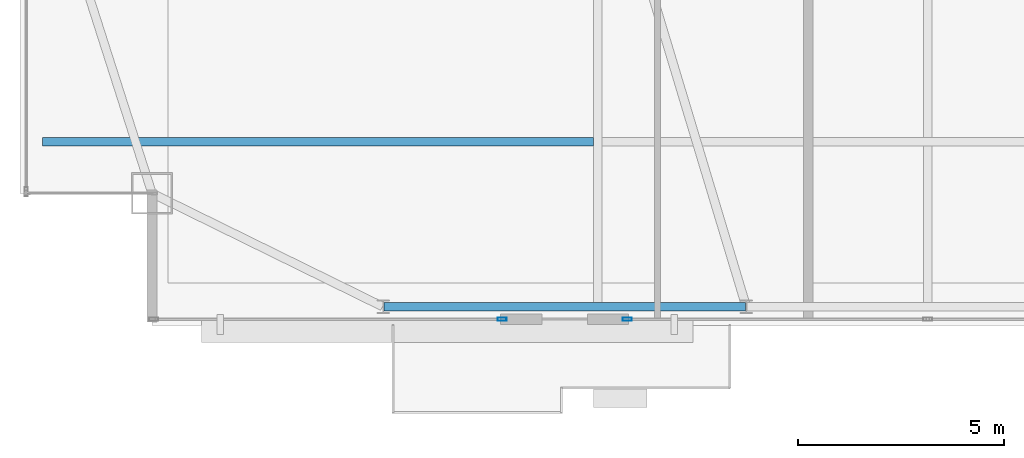
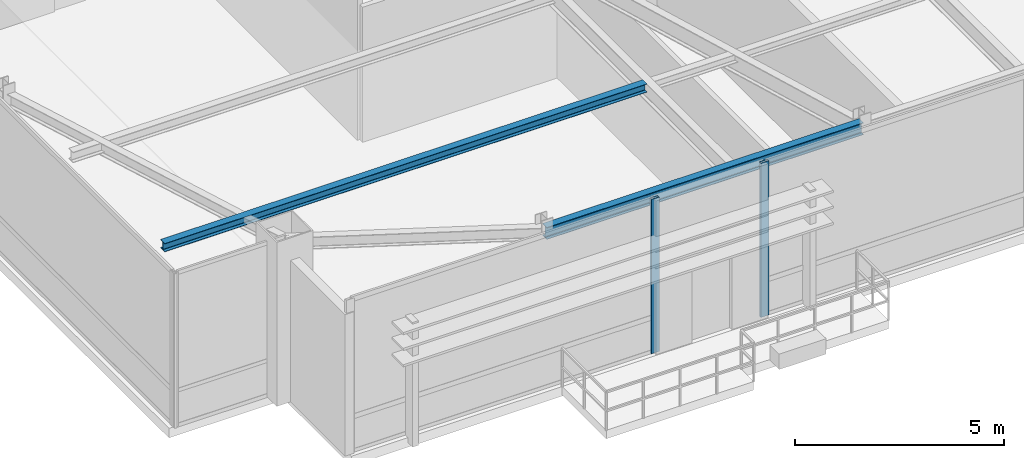
# One storey, part 4 of 22: 2 beams, 2 members, 2 elements without a shape of their own.
"""IFC4 building model written with IfcOpenShell, lengths in metres."""

from ifc_helpers import new_model, si_unit, direction, frame, origin, origin_2d, place, context, subcontext, project, spatial, hollow_rectangle, i_section, extrude, source, transform, mapped, material, layer, layer_set, material_profile, profile_set, type_object, type_shapes, element, aggregate, save


model = new_model("IFC4")

# Units and contexts
model_context = context("Model", 3, precision=1e-05, world=origin(), true_north=direction((0.0, 1.0)))
body_context = subcontext(model_context, "Body", "Model", "MODEL_VIEW")
ifc_project = project(units=[si_unit("LENGTHUNIT", "METRE"), si_unit("AREAUNIT", "SQUARE_METRE"), si_unit("VOLUMEUNIT", "CUBIC_METRE"), si_unit("PLANEANGLEUNIT", "RADIAN"), si_unit("MASSUNIT", "GRAM", prefix="KILO")], contexts=[model_context])

# Site, building, storey
site_placement = place(None, origin())
site = spatial("IfcSite", under=ifc_project, at=site_placement, CompositionType="ELEMENT")
building_placement = place(site_placement, origin())
building = spatial("IfcBuilding", under=site, at=building_placement, Name="Varnel Quay Broadcast Tower", CompositionType="ELEMENT")
storey_placement = place(building_placement, frame((0.0, 0.0, 305.0)))
storey = spatial("IfcBuildingStorey", under=building, at=storey_placement, Name="L76", CompositionType="ELEMENT", Elevation=305.0)

# Beams
ifc_material_1 = material(Name="Structural Steel CSA G40.21 350W", Category="steel")
ifc_material_profile_1 = material_profile(ifc_material_1, i_section(OverallWidth=0.205078125, OverallDepth=0.35400390625, WebThickness=0.009521484375, FlangeThickness=0.016845703125, FilletRadius=0.012939453125, at=origin_2d()), Name="W360X79")
ifc_profile_set_1 = profile_set([ifc_material_profile_1], Name="Structural Steel CSA G40.21 350W")
beam_type_1 = type_object("IfcBeamType", Name="Beam_W360X79", PredefinedType="SPANDREL", material=ifc_profile_set_1)
shared_shape_1 = source(origin(), body_context, "Body", "SweptSolid", [
    extrude(i_section(OverallWidth=0.205078125, OverallDepth=0.35400390625, WebThickness=0.009521484375, FlangeThickness=0.016845703125, FilletRadius=0.012939453125, at=origin_2d()), origin(), (0.0, 0.0, 1.0), 8.760009765625),
])
type_shapes(beam_type_1, [shared_shape_1])
beam_1_placement = place(storey_placement, frame((20.820068359375, 13.64990234375, 4.343017578125), z_axis=(1.0, 0.0, 0.0), x_axis=(0.0, 1.0, 0.0)))
element("IfcBeam", 1, at=beam_1_placement, inside=storey, type_object=beam_type_1, Name="L76 South Spandrel TC-S1-TC-S2", PredefinedType="SPANDREL", context=body_context, shape_type="MappedRepresentation", body=[
    mapped(shared_shape_1, transform((0.0, 0.0, 0.0), x_axis=(1.0, 0.0, 0.0), y_axis=(0.0, 1.0, 0.0), z_axis=(0.0, 0.0, 1.0), scale=1.0)),
])
ifc_material_profile_2 = material_profile(ifc_material_1, i_section(OverallWidth=0.201904296875, OverallDepth=0.2470703125, WebThickness=0.00732421875, FlangeThickness=0.010986328125, FilletRadius=0.010986328125, at=origin_2d()), Name="W250X49")
ifc_profile_set_2 = profile_set([ifc_material_profile_2], Name="Structural Steel CSA G40.21 350W")
beam_type_2 = type_object("IfcBeamType", Name="Beam_W250X49", PredefinedType="JOIST", material=ifc_profile_set_2)
shared_shape_2 = source(origin(), body_context, "Body", "SweptSolid", [
    extrude(i_section(OverallWidth=0.201904296875, OverallDepth=0.2470703125, WebThickness=0.00732421875, FlangeThickness=0.010986328125, FilletRadius=0.010986328125, at=origin_2d()), origin(), (0.0, 0.0, 1.0), 13.351318359375),
])
type_shapes(beam_type_2, [shared_shape_2])
beam_2_placement = place(storey_placement, frame((12.547607421875, 17.64990234375, 4.396484375), z_axis=(1.0, 0.0, 0.0), x_axis=(0.0, 1.0, 0.0)))
element("IfcBeam", 2, at=beam_2_placement, inside=storey, type_object=beam_type_2, Name="L76 West Floor Joist 1", PredefinedType="JOIST", context=body_context, shape_type="MappedRepresentation", body=[
    mapped(shared_shape_2, transform((0.0, 0.0, 0.0), x_axis=(1.0, 0.0, 0.0), y_axis=(0.0, 1.0, 0.0), z_axis=(0.0, 0.0, 1.0), scale=1.0)),
])

# Curtain wall, member
ifc_material_2 = material(Name="Anodised Bronze Aluminium 6063-T6", Category="aluminium")
ifc_layer = layer(ifc_material_2, 0.18994140625, Name="Anodised Bronze Aluminium 6063-T6")
ifc_layer_set = layer_set([ifc_layer], Name="Anodised Bronze Aluminium 6063-T6")
curtain_wall_type = type_object("IfcCurtainWallType", Name="CW_SkyObsHighVis", PredefinedType="NOTDEFINED", material=ifc_layer_set)
curtain_wall_1_placement = place(storey_placement, origin())
curtain_wall_1 = element("IfcCurtainWall", 3, at=curtain_wall_1_placement, inside=storey, type_object=curtain_wall_type, Name="L76 South Unitised Curtain Wall 1", PredefinedType="NOTDEFINED")
ifc_material_profile_3 = material_profile(ifc_material_2, hollow_rectangle(XDim=0.074951171875, YDim=0.219970703125, WallThickness=0.00390625, at=origin_2d()), Name="ALU75X220X4")
ifc_profile_set_3 = profile_set([ifc_material_profile_3], Name="Anodised Bronze Aluminium 6063-T6")
member_type = type_object("IfcMemberType", Name="Mull_CWS-05", PredefinedType="MULLION", material=ifc_profile_set_3)
shared_shape_3 = source(origin(), body_context, "Body", "SweptSolid", [
    extrude(hollow_rectangle(XDim=0.074951171875, YDim=0.219970703125, WallThickness=0.00390625, at=origin_2d()), origin(), (0.0, 0.0, 1.0), 4.52001953125),
])
type_shapes(member_type, [shared_shape_3])
member_1_placement = place(storey_placement, frame((23.6826171875, 13.35009765625, 0.0), z_axis=(0.0, 0.0, 1.0), x_axis=(0.0, 1.0, 0.0)))
member_1 = element("IfcMember", 4, at=member_1_placement, type_object=member_type, Name="CWS-05 mullion 2", PredefinedType="MULLION", context=body_context, shape_type="MappedRepresentation", body=[
    mapped(shared_shape_3, transform((0.0, 0.0, 0.0), x_axis=(1.0, 0.0, 0.0), y_axis=(0.0, 1.0, 0.0), z_axis=(0.0, 0.0, 1.0), scale=1.0)),
])
aggregate(curtain_wall_1, [member_1])

curtain_wall_2_placement = place(storey_placement, origin())
curtain_wall_2 = element("IfcCurtainWall", 5, at=curtain_wall_2_placement, inside=storey, type_object=curtain_wall_type, Name="L76 South Unitised Curtain Wall 2", PredefinedType="NOTDEFINED")
member_2_placement = place(storey_placement, frame((26.717529296875, 13.35009765625, 0.0), z_axis=(0.0, 0.0, 1.0), x_axis=(0.0, 1.0, 0.0)))
member_2 = element("IfcMember", 6, at=member_2_placement, type_object=member_type, Name="CWS-05 mullion 1", PredefinedType="MULLION", context=body_context, shape_type="MappedRepresentation", body=[
    mapped(shared_shape_3, transform((0.0, 0.0, 0.0), x_axis=(1.0, 0.0, 0.0), y_axis=(0.0, 1.0, 0.0), z_axis=(0.0, 0.0, 1.0), scale=1.0)),
])
aggregate(curtain_wall_2, [member_2])

save(model, "model.ifc")
